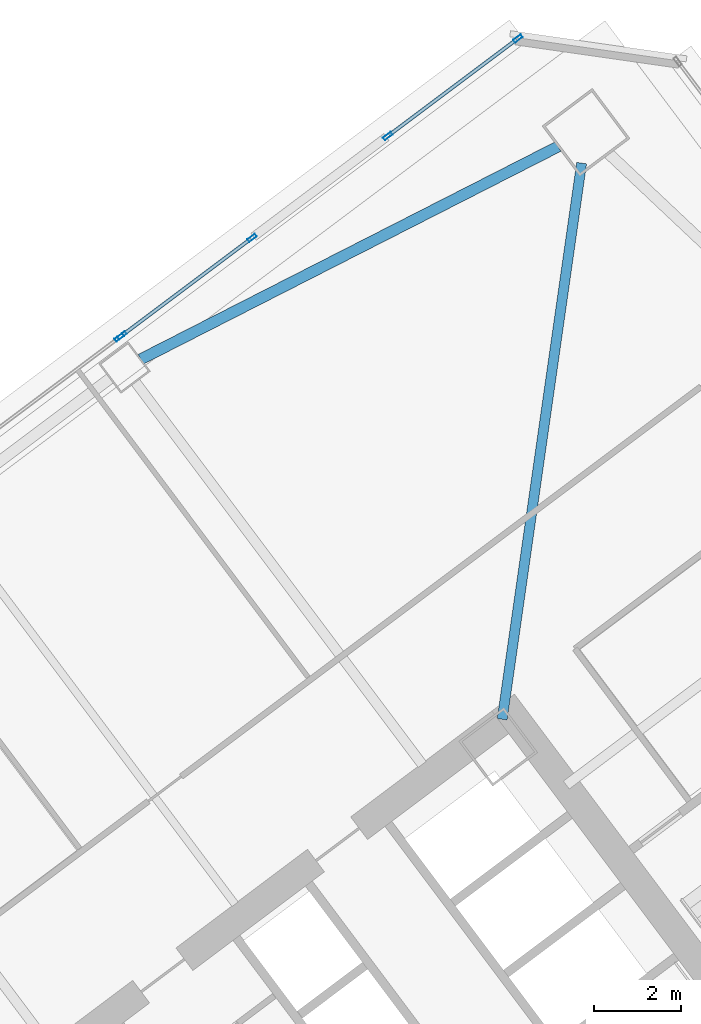
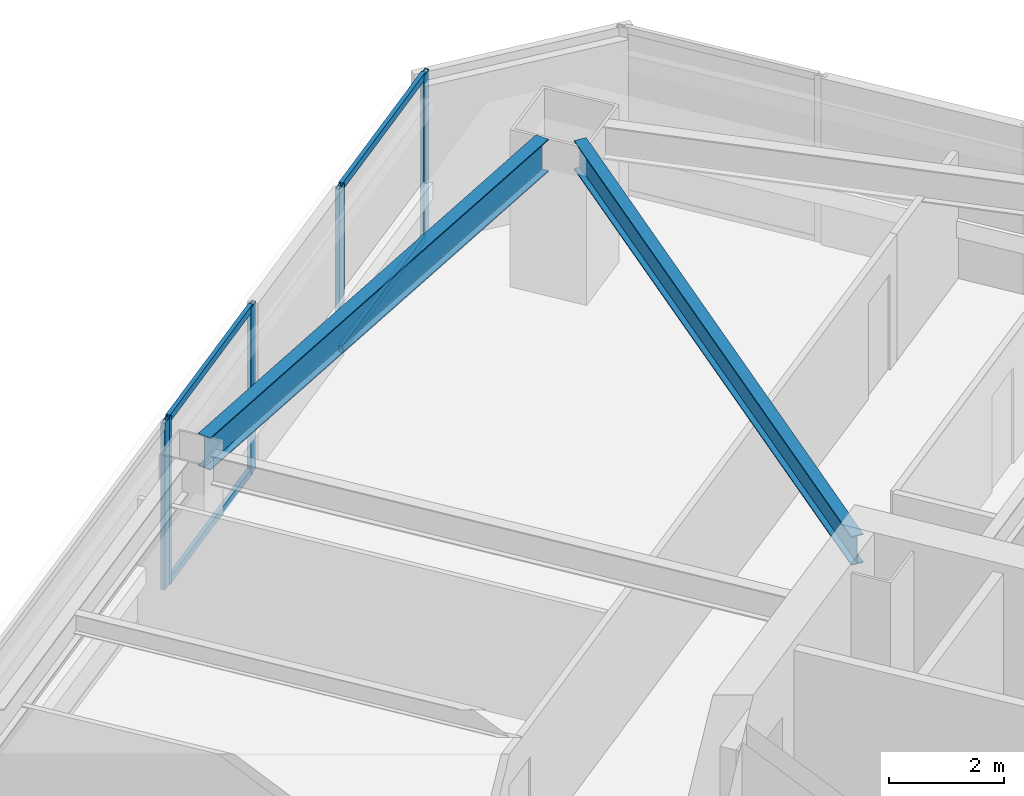
# One storey, part 32 of 48: 9 members, 2 beams, 3 elements without a shape of their own.
"""IFC4 building model written with IfcOpenShell, lengths in metres."""

from ifc_helpers import new_model, si_unit, direction, frame, origin, origin_2d, place, context, subcontext, project, spatial, hollow_rectangle, i_section, extrude, material, material_profile, profile_set, type_object, element, aggregate, save


model = new_model("IFC4")

# Units and contexts
model_context = context("Model", 3, precision=1e-05, world=origin(), true_north=direction((0.0, 1.0)))
body_context = subcontext(model_context, "Body", "Model", "MODEL_VIEW")
ifc_project = project(units=[si_unit("LENGTHUNIT", "METRE"), si_unit("AREAUNIT", "SQUARE_METRE"), si_unit("VOLUMEUNIT", "CUBIC_METRE"), si_unit("PLANEANGLEUNIT", "RADIAN"), si_unit("MASSUNIT", "GRAM", prefix="KILO")], contexts=[model_context])

# Site, building, storey
site_placement = place(None, origin())
site = spatial("IfcSite", under=ifc_project, at=site_placement, CompositionType="ELEMENT")
building_placement = place(site_placement, origin())
building = spatial("IfcBuilding", under=site, at=building_placement, Name="Tashvorn Skyway Center", CompositionType="ELEMENT")
storey_placement = place(building_placement, frame((0.0, 0.0, 77.85009765625)))
storey = spatial("IfcBuildingStorey", under=building, at=storey_placement, Name="L20", CompositionType="ELEMENT", Elevation=77.85009765625)

# Beams
ifc_material_1 = material(Name="Steel ASTM A992 Grade 50", Category="steel")
ifc_material_profile_1 = material_profile(ifc_material_1, i_section(OverallWidth=0.22998046875, OverallDepth=0.616943359375, WebThickness=0.01318359375, FlangeThickness=0.022216796875, at=origin_2d()), Name="W24X94")
ifc_profile_set_1 = profile_set([ifc_material_profile_1], Name="Steel ASTM A992 Grade 50")
beam_type_1 = type_object("IfcBeamType", Name="BM-BEAM-W24X94", PredefinedType="BEAM", material=ifc_profile_set_1)
beam_1_placement = place(storey_placement, frame((117.338134765625, 55.3671875, 3.04150390625), z_axis=(-0.141418724841, -0.989949869571, 0.0), x_axis=(0.989949869571, -0.141418724841, 0.0)))
element("IfcBeam", 1, at=beam_1_placement, inside=storey, type_object=beam_type_1, Name="Tower 2 L20 Primary Floor Girder MC-NE", PredefinedType="BEAM", context=body_context, shape_type="SweptSolid", body=[
    extrude(i_section(OverallWidth=0.22998046875, OverallDepth=0.616943359375, WebThickness=0.01318359375, FlangeThickness=0.022216796875, at=origin_2d()), origin(), (0.0, 0.0, 1.0), 12.9892578125),
])
ifc_material_profile_2 = material_profile(ifc_material_1, i_section(OverallWidth=0.256103515625, OverallDepth=0.693115234375, WebThickness=0.014404296875, FlangeThickness=0.023681640625, at=origin_2d()), Name="W27X114")
ifc_profile_set_2 = profile_set([ifc_material_profile_2], Name="Steel ASTM A992 Grade 50")
beam_type_2 = type_object("IfcBeamType", Name="BM-SPANDREL-W27X114", PredefinedType="SPANDREL", material=ifc_profile_set_2)
beam_2_placement = place(storey_placement, frame((116.798583984375, 55.7529296875, 3.00341796875), z_axis=(-0.890894170442, -0.454210938961, 0.0), x_axis=(0.454210938961, -0.890894170442, 0.0)))
element("IfcBeam", 2, at=beam_2_placement, inside=storey, type_object=beam_type_2, Name="Tower 2 L20 Spandrel Beam 07", PredefinedType="SPANDREL", context=body_context, shape_type="SweptSolid", body=[
    extrude(i_section(OverallWidth=0.256103515625, OverallDepth=0.693115234375, WebThickness=0.014404296875, FlangeThickness=0.023681640625, at=origin_2d()), origin(), (0.0, 0.0, 1.0), 10.836669921875),
])

# Curtain wall, member
ifc_material_2 = material(Name="Thermally broken bronze-anodized aluminium 6063-T6", Category="aluminium")
curtain_wall_type = type_object("IfcCurtainWallType", Name="CW-CW-Z2", PredefinedType="NOTDEFINED", material=ifc_material_2)
curtain_wall_1_placement = place(storey_placement, origin())
curtain_wall_1 = element("IfcCurtainWall", 3, at=curtain_wall_1_placement, inside=storey, type_object=curtain_wall_type, Name="Tower 2 L20 North Unitised Curtain Wall Glazing Group 3", PredefinedType="NOTDEFINED")
ifc_material_profile_3 = material_profile(ifc_material_2, hollow_rectangle(XDim=0.080078125, YDim=0.219970703125, WallThickness=0.0048828125, at=origin_2d()), Name="ALU-MULL-80x220")
ifc_profile_set_3 = profile_set([ifc_material_profile_3], Name="Thermally broken bronze-anodized aluminium 6063-T6")
member_type_1 = type_object("IfcMemberType", Name="CWM-CW-Z2", PredefinedType="MULLION", material=ifc_profile_set_3)
member_1_placement = place(storey_placement, frame((106.64794921875, 51.3359375, 0.0), z_axis=(0.0, 0.0, 1.0), x_axis=(-0.600000000002, 0.799999999998, 0.0)))
member_1 = element("IfcMember", 4, at=member_1_placement, type_object=member_type_1, Name="CW-Z2 mullion 2", PredefinedType="MULLION", context=body_context, shape_type="SweptSolid", body=[
    extrude(hollow_rectangle(XDim=0.080078125, YDim=0.219970703125, WallThickness=0.0048828125, at=origin_2d()), origin(), (0.0, 0.0, 1.0), 3.5498046875),
])
aggregate(curtain_wall_1, [member_1])

# Curtain wall, members
curtain_wall_2_placement = place(storey_placement, origin())
curtain_wall_2 = element("IfcCurtainWall", 5, at=curtain_wall_2_placement, inside=storey, type_object=curtain_wall_type, Name="Tower 2 L20 North Unitised Curtain Wall Glazing Group 4", PredefinedType="NOTDEFINED")
member_2_placement = place(storey_placement, frame((106.7119140625, 51.384033203125, 0.0), z_axis=(0.0, 0.0, 1.0), x_axis=(-0.600000000002, 0.799999999998, 0.0)))
member_2 = element("IfcMember", 6, at=member_2_placement, type_object=member_type_1, Name="CW-Z2 mullion 1", PredefinedType="MULLION", context=body_context, shape_type="SweptSolid", body=[
    extrude(hollow_rectangle(XDim=0.080078125, YDim=0.219970703125, WallThickness=0.0048828125, at=origin_2d()), origin(), (0.0, 0.0, 1.0), 3.5498046875),
])
member_3_placement = place(storey_placement, frame((109.719970703125, 53.639892578125, 0.0), z_axis=(0.0, 0.0, 1.0), x_axis=(-0.600000000002, 0.799999999998, 0.0)))
member_3 = element("IfcMember", 7, at=member_3_placement, type_object=member_type_1, Name="CW-Z2 mullion 2", PredefinedType="MULLION", context=body_context, shape_type="SweptSolid", body=[
    extrude(hollow_rectangle(XDim=0.080078125, YDim=0.219970703125, WallThickness=0.0048828125, at=origin_2d()), origin(), (0.0, 0.0, 1.0), 3.5498046875),
])

curtain_wall_3_placement = place(storey_placement, origin())
curtain_wall_3 = element("IfcCurtainWall", 8, at=curtain_wall_3_placement, inside=storey, type_object=curtain_wall_type, Name="Tower 2 L20 North Unitised Curtain Wall Glazing Group 5", PredefinedType="NOTDEFINED")
member_4_placement = place(storey_placement, frame((112.85595703125, 55.991943359375, 0.0), z_axis=(0.0, 0.0, 1.0), x_axis=(-0.600000000002, 0.799999999998, 0.0)))
member_4 = element("IfcMember", 9, at=member_4_placement, type_object=member_type_1, Name="CW-Z2 mullion 1", PredefinedType="MULLION", context=body_context, shape_type="SweptSolid", body=[
    extrude(hollow_rectangle(XDim=0.080078125, YDim=0.219970703125, WallThickness=0.0048828125, at=origin_2d()), origin(), (0.0, 0.0, 1.0), 3.5498046875),
])
member_5_placement = place(storey_placement, frame((115.864013671875, 58.248046875, 0.0), z_axis=(0.0, 0.0, 1.0), x_axis=(-0.600000000002, 0.799999999998, 0.0)))
member_5 = element("IfcMember", 10, at=member_5_placement, type_object=member_type_1, Name="CW-Z2 mullion 2", PredefinedType="MULLION", context=body_context, shape_type="SweptSolid", body=[
    extrude(hollow_rectangle(XDim=0.080078125, YDim=0.219970703125, WallThickness=0.0048828125, at=origin_2d()), origin(), (0.0, 0.0, 1.0), 3.5498046875),
])

# Member
ifc_material_profile_4 = material_profile(ifc_material_2, hollow_rectangle(XDim=0.080078125, YDim=0.14990234375, WallThickness=0.00439453125, at=origin_2d()), Name="ALU-TRAN-80x150")
ifc_profile_set_4 = profile_set([ifc_material_profile_4], Name="Thermally broken bronze-anodized aluminium 6063-T6")
member_type_2 = type_object("IfcMemberType", Name="CWT-CW-Z2", PredefinedType="USERDEFINED", material=ifc_profile_set_4)
member_6_placement = place(storey_placement, frame((106.743896484375, 51.407958984375, 0.039794921875), z_axis=(0.800007960868, 0.599989385363, 0.0), x_axis=(-0.599989385363, 0.800007960868, 0.0)))
member_6 = element("IfcMember", 11, at=member_6_placement, type_object=member_type_2, Name="CW-Z2 transom 1.1", ObjectType="TRANSOM", PredefinedType="USERDEFINED", context=body_context, shape_type="SweptSolid", body=[
    extrude(hollow_rectangle(XDim=0.080078125, YDim=0.14990234375, WallThickness=0.00439453125, at=origin_2d()), origin(), (0.0, 0.0, 1.0), 3.68017578125),
])

member_7_placement = place(storey_placement, frame((106.743896484375, 51.407958984375, 3.510009765625), z_axis=(0.800007960868, 0.599989385363, 0.0), x_axis=(-0.599989385363, 0.800007960868, 0.0)))
member_7 = element("IfcMember", 12, at=member_7_placement, type_object=member_type_2, Name="CW-Z2 transom 1.2", ObjectType="TRANSOM", PredefinedType="USERDEFINED", context=body_context, shape_type="SweptSolid", body=[
    extrude(hollow_rectangle(XDim=0.080078125, YDim=0.14990234375, WallThickness=0.00439453125, at=origin_2d()), origin(), (0.0, 0.0, 1.0), 3.68017578125),
])

aggregate(curtain_wall_2, [member_2, member_3, member_6, member_7])

member_8_placement = place(storey_placement, frame((112.887939453125, 56.01611328125, 0.039794921875), z_axis=(0.800007960868, 0.599989385363, 0.0), x_axis=(-0.599989385363, 0.800007960868, 0.0)))
member_8 = element("IfcMember", 13, at=member_8_placement, type_object=member_type_2, Name="CW-Z2 transom 1.1", ObjectType="TRANSOM", PredefinedType="USERDEFINED", context=body_context, shape_type="SweptSolid", body=[
    extrude(hollow_rectangle(XDim=0.080078125, YDim=0.14990234375, WallThickness=0.00439453125, at=origin_2d()), origin(), (0.0, 0.0, 1.0), 3.68017578125),
])

member_9_placement = place(storey_placement, frame((112.887939453125, 56.01611328125, 3.510009765625), z_axis=(0.800007960868, 0.599989385363, 0.0), x_axis=(-0.599989385363, 0.800007960868, 0.0)))
member_9 = element("IfcMember", 14, at=member_9_placement, type_object=member_type_2, Name="CW-Z2 transom 1.2", ObjectType="TRANSOM", PredefinedType="USERDEFINED", context=body_context, shape_type="SweptSolid", body=[
    extrude(hollow_rectangle(XDim=0.080078125, YDim=0.14990234375, WallThickness=0.00439453125, at=origin_2d()), origin(), (0.0, 0.0, 1.0), 3.68017578125),
])

aggregate(curtain_wall_3, [member_4, member_5, member_8, member_9])

save(model, "model.ifc")
